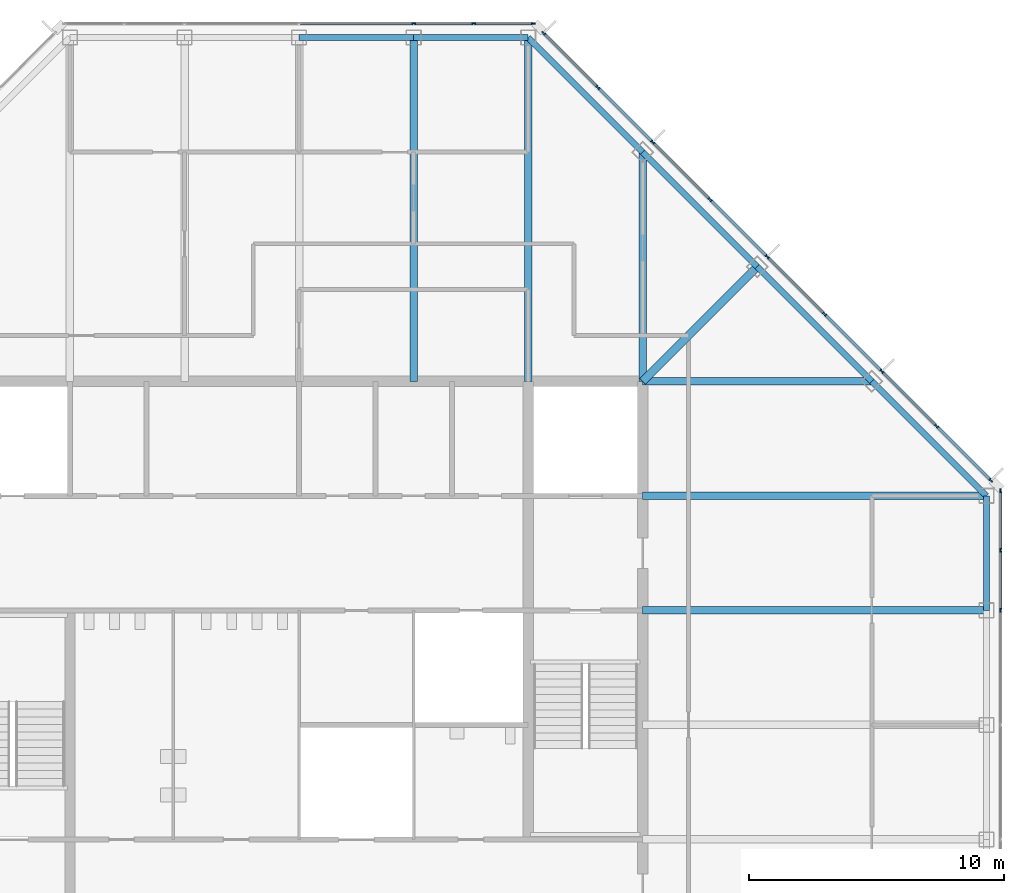
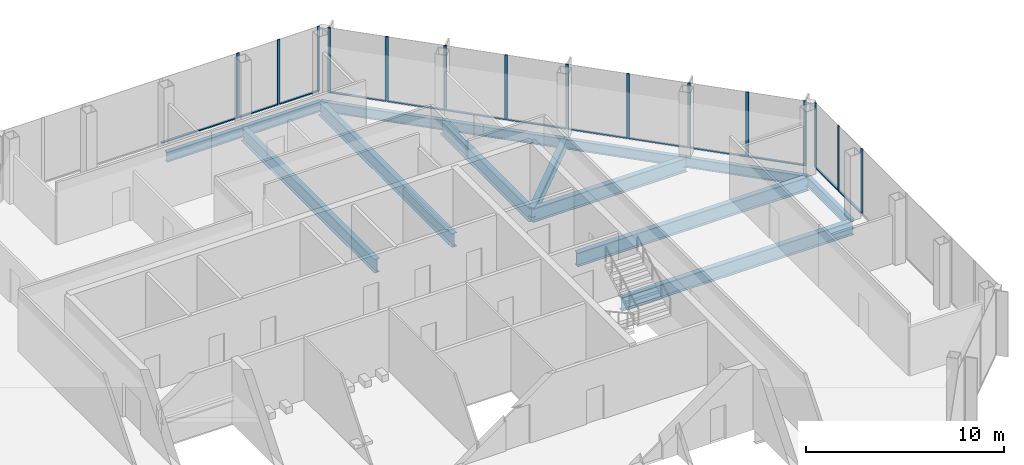
# One storey, part 7 of 14: 28 members, 14 beams, 3 elements without a shape of their own.
"""IFC4 building model written with IfcOpenShell, lengths in metres."""

from ifc_helpers import new_model, si_unit, direction, frame, origin, origin_2d, place, context, subcontext, project, spatial, rectangle, i_section, extrude, material, material_profile, profile_set, type_object, element, aggregate, save


model = new_model("IFC4")

# Units and contexts
model_context = context("Model", 3, precision=1e-05, world=origin(), true_north=direction((0.0, 1.0)))
body_context = subcontext(model_context, "Body", "Model", "MODEL_VIEW")
ifc_project = project(units=[si_unit("LENGTHUNIT", "METRE"), si_unit("AREAUNIT", "SQUARE_METRE"), si_unit("VOLUMEUNIT", "CUBIC_METRE"), si_unit("PLANEANGLEUNIT", "RADIAN"), si_unit("MASSUNIT", "GRAM", prefix="KILO")], contexts=[model_context])

# Site, building, storey
site_placement = place(None, origin())
site = spatial("IfcSite", under=ifc_project, at=site_placement, CompositionType="ELEMENT")
building_placement = place(site_placement, origin())
building = spatial("IfcBuilding", under=site, at=building_placement, Name="Corais Broadcast Tower", CompositionType="ELEMENT")
storey_placement = place(building_placement, frame((0.0, 0.0, 266.60009765625)))
storey = spatial("IfcBuildingStorey", under=building, at=storey_placement, Name="L62", CompositionType="ELEMENT", Elevation=266.60009765625)

# Beams
ifc_material_1 = material(Name="Steel ASTM A572 Grade 50", Category="steel")
ifc_material_profile_1 = material_profile(ifc_material_1, i_section(OverallWidth=0.323974609375, OverallDepth=0.611083984375, WebThickness=0.0126953125, FlangeThickness=0.01904296875, at=origin_2d()), Name="W610x155")
ifc_profile_set_1 = profile_set([ifc_material_profile_1], Name="Steel ASTM A572 Grade 50")
beam_type_1 = type_object("IfcBeamType", Name="Corner diagonal W610x155", PredefinedType="BEAM", material=ifc_profile_set_1)
beam_1_placement = place(storey_placement, frame((45.0, 45.0, -0.465576171875), z_axis=(-0.707106781187, -0.707106781187, 0.0), x_axis=(0.707106781187, -0.707106781187, 0.0)))
element("IfcBeam", 1, at=beam_1_placement, inside=storey, type_object=beam_type_1, Name="B6 L/13 to K/12", PredefinedType="BEAM", context=body_context, shape_type="SweptSolid", body=[
    extrude(i_section(OverallWidth=0.323974609375, OverallDepth=0.611083984375, WebThickness=0.0126953125, FlangeThickness=0.01904296875, at=origin_2d()), origin(), (0.0, 0.0, 1.0), 6.364013671875),
])
ifc_material_2 = material(Name="Steel ASTM A572 Grade 50", Category="steel")
ifc_material_profile_2 = material_profile(ifc_material_2, i_section(OverallWidth=0.2939453125, OverallDepth=0.85107421875, WebThickness=0.01611328125, FlangeThickness=0.02685546875, at=origin_2d()), Name="W840x226")
ifc_profile_set_2 = profile_set([ifc_material_profile_2], Name="Steel ASTM A572 Grade 50")
beam_type_2 = type_object("IfcBeamType", Name="Floor beam W840x226", PredefinedType="BEAM", material=ifc_profile_set_2)
for number, where, z_axis, x_axis, name in (
    (2, (31.5, 54.0, -0.585693359375), (0.0, -1.0, 0.0), (1.0, 0.0, 0.0), "B1 N/10 to K/10"),
    (3, (36.0, 54.0, -0.585693359375), (0.0, -1.0, 0.0), (1.0, 0.0, 0.0), "B1 N/11 to K/11"),
):
    element("IfcBeam", number, at=place(storey_placement, frame(where, z_axis=z_axis, x_axis=x_axis)), inside=storey, type_object=beam_type_2, Name=name, PredefinedType="BEAM", context=body_context, shape_type="SweptSolid", body=[
        extrude(i_section(OverallWidth=0.2939453125, OverallDepth=0.85107421875, WebThickness=0.01611328125, FlangeThickness=0.02685546875, at=origin_2d()), origin(), (0.0, 0.0, 1.0), 13.5),
    ])
for number, where, z_axis, x_axis, name in (
    (4, (40.5, 49.5, -0.585693359375), (0.0, -1.0, 0.0), (1.0, 0.0, 0.0), "B1 M/12 to K/12"),
    (5, (49.5, 40.5, -0.585693359375), (-1.0, 0.0, 0.0), (0.0, -1.0, 0.0), "B1 K/14 to K/12"),
):
    element("IfcBeam", number, at=place(storey_placement, frame(where, z_axis=z_axis, x_axis=x_axis)), inside=storey, type_object=beam_type_2, Name=name, PredefinedType="BEAM", context=body_context, shape_type="SweptSolid", body=[
        extrude(i_section(OverallWidth=0.2939453125, OverallDepth=0.85107421875, WebThickness=0.01611328125, FlangeThickness=0.02685546875, at=origin_2d()), origin(), (0.0, 0.0, 1.0), 9.0),
    ])
for number, where, z_axis, x_axis, name in (
    (6, (54.0, 31.5, -0.585693359375), (-1.0, 0.0, 0.0), (0.0, -1.0, 0.0), "B1 H/15 to H/12"),
    (7, (54.0, 36.0, -0.585693359375), (-1.0, 0.0, 0.0), (0.0, -1.0, 0.0), "B1 J/15 to J/12"),
):
    element("IfcBeam", number, at=place(storey_placement, frame(where, z_axis=z_axis, x_axis=x_axis)), inside=storey, type_object=beam_type_2, Name=name, PredefinedType="BEAM", context=body_context, shape_type="SweptSolid", body=[
        extrude(i_section(OverallWidth=0.2939453125, OverallDepth=0.85107421875, WebThickness=0.01611328125, FlangeThickness=0.02685546875, at=origin_2d()), origin(), (0.0, 0.0, 1.0), 13.5),
    ])

# Curtain wall, members
ifc_material_3 = material(Name="Aluminium and glass", Category="aluminium")
curtain_wall_type = type_object("IfcCurtainWallType", Name="Unitised fritted curtain wall CW3", PredefinedType="NOTDEFINED", material=ifc_material_3)
curtain_wall_1_placement = place(storey_placement, origin())
curtain_wall_1 = element("IfcCurtainWall", 8, at=curtain_wall_1_placement, inside=storey, type_object=curtain_wall_type, Name="CW3 curtain wall L62 4", PredefinedType="NOTDEFINED")
ifc_material_4 = material(Name="Aluminium 6063-T6", Category="aluminium")
ifc_material_profile_3 = material_profile(ifc_material_4, rectangle(XDim=0.06494140625, YDim=0.159912109375, at=origin_2d()), Name="Mullion CW3 65x160")
ifc_profile_set_3 = profile_set([ifc_material_profile_3], Name="Aluminium 6063-T6")
member_type_1 = type_object("IfcMemberType", Name="Mullion CW3 65x160", PredefinedType="MULLION", material=ifc_profile_set_3)
member_1_placement = place(storey_placement, frame((31.5, 54.550048828125, 0.0), z_axis=(0.0, 0.0, 1.0), x_axis=(0.0, 1.0, 0.0)))
member_1 = element("IfcMember", 9, at=member_1_placement, type_object=member_type_1, Name="CW3 mullion 5", PredefinedType="MULLION", context=body_context, shape_type="SweptSolid", body=[
    extrude(rectangle(XDim=0.06494140625, YDim=0.159912109375, at=origin_2d()), origin(), (0.0, 0.0, 1.0), 4.0),
])
member_2_placement = place(storey_placement, frame((33.864013671875, 54.550048828125, 0.0), z_axis=(0.0, 0.0, 1.0), x_axis=(0.0, 1.0, 0.0)))
member_2 = element("IfcMember", 10, at=member_2_placement, type_object=member_type_1, Name="CW3 mullion 6", PredefinedType="MULLION", context=body_context, shape_type="SweptSolid", body=[
    extrude(rectangle(XDim=0.06494140625, YDim=0.159912109375, at=origin_2d()), origin(), (0.0, 0.0, 1.0), 4.0),
])
member_3_placement = place(storey_placement, frame((36.1953125, 54.550048828125, 0.0), z_axis=(0.0, 0.0, 1.0), x_axis=(0.0, 1.0, 0.0)))
member_3 = element("IfcMember", 11, at=member_3_placement, type_object=member_type_1, Name="CW3 mullion 7", PredefinedType="MULLION", context=body_context, shape_type="SweptSolid", body=[
    extrude(rectangle(XDim=0.06494140625, YDim=0.159912109375, at=origin_2d()), origin(), (0.0, 0.0, 1.0), 4.0),
])

curtain_wall_2_placement = place(storey_placement, origin())
curtain_wall_2 = element("IfcCurtainWall", 12, at=curtain_wall_2_placement, inside=storey, type_object=curtain_wall_type, Name="CW3 curtain wall L62 5", PredefinedType="NOTDEFINED")
member_4_placement = place(storey_placement, frame((36.6044921875, 54.17333984375, 0.0), z_axis=(0.0, 0.0, 1.0), x_axis=(0.707106781187, 0.707106781187, 0.0)))
member_4 = element("IfcMember", 13, at=member_4_placement, type_object=member_type_1, Name="CW3 mullion 1", PredefinedType="MULLION", context=body_context, shape_type="SweptSolid", body=[
    extrude(rectangle(XDim=0.06494140625, YDim=0.159912109375, at=origin_2d()), origin(), (0.0, 0.0, 1.0), 4.0),
])
member_5_placement = place(storey_placement, frame((38.735107421875, 52.042724609375, 0.0), z_axis=(0.0, 0.0, 1.0), x_axis=(0.707106781187, 0.707106781187, 0.0)))
member_5 = element("IfcMember", 14, at=member_5_placement, type_object=member_type_1, Name="CW3 mullion 2", PredefinedType="MULLION", context=body_context, shape_type="SweptSolid", body=[
    extrude(rectangle(XDim=0.06494140625, YDim=0.159912109375, at=origin_2d()), origin(), (0.0, 0.0, 1.0), 4.0),
])
member_6_placement = place(storey_placement, frame((40.888916015625, 49.888916015625, 0.0), z_axis=(0.0, 0.0, 1.0), x_axis=(0.707106781187, 0.707106781187, 0.0)))
member_6 = element("IfcMember", 15, at=member_6_placement, type_object=member_type_1, Name="CW3 mullion 3", PredefinedType="MULLION", context=body_context, shape_type="SweptSolid", body=[
    extrude(rectangle(XDim=0.06494140625, YDim=0.159912109375, at=origin_2d()), origin(), (0.0, 0.0, 1.0), 4.0),
])
member_7_placement = place(storey_placement, frame((43.138916015625, 47.638916015625, 0.0), z_axis=(0.0, 0.0, 1.0), x_axis=(0.707106781187, 0.707106781187, 0.0)))
member_7 = element("IfcMember", 16, at=member_7_placement, type_object=member_type_1, Name="CW3 mullion 4", PredefinedType="MULLION", context=body_context, shape_type="SweptSolid", body=[
    extrude(rectangle(XDim=0.06494140625, YDim=0.159912109375, at=origin_2d()), origin(), (0.0, 0.0, 1.0), 4.0),
])
member_8_placement = place(storey_placement, frame((45.388916015625, 45.388916015625, 0.0), z_axis=(0.0, 0.0, 1.0), x_axis=(0.707106781187, 0.707106781187, 0.0)))
member_8 = element("IfcMember", 17, at=member_8_placement, type_object=member_type_1, Name="CW3 mullion 5", PredefinedType="MULLION", context=body_context, shape_type="SweptSolid", body=[
    extrude(rectangle(XDim=0.06494140625, YDim=0.159912109375, at=origin_2d()), origin(), (0.0, 0.0, 1.0), 4.0),
])
member_9_placement = place(storey_placement, frame((47.638916015625, 43.138916015625, 0.0), z_axis=(0.0, 0.0, 1.0), x_axis=(0.707106781187, 0.707106781187, 0.0)))
member_9 = element("IfcMember", 18, at=member_9_placement, type_object=member_type_1, Name="CW3 mullion 6", PredefinedType="MULLION", context=body_context, shape_type="SweptSolid", body=[
    extrude(rectangle(XDim=0.06494140625, YDim=0.159912109375, at=origin_2d()), origin(), (0.0, 0.0, 1.0), 4.0),
])
member_10_placement = place(storey_placement, frame((49.888916015625, 40.888916015625, 0.0), z_axis=(0.0, 0.0, 1.0), x_axis=(0.707106781187, 0.707106781187, 0.0)))
member_10 = element("IfcMember", 19, at=member_10_placement, type_object=member_type_1, Name="CW3 mullion 7", PredefinedType="MULLION", context=body_context, shape_type="SweptSolid", body=[
    extrude(rectangle(XDim=0.06494140625, YDim=0.159912109375, at=origin_2d()), origin(), (0.0, 0.0, 1.0), 4.0),
])
member_11_placement = place(storey_placement, frame((52.042724609375, 38.735107421875, 0.0), z_axis=(0.0, 0.0, 1.0), x_axis=(0.707106781187, 0.707106781187, 0.0)))
member_11 = element("IfcMember", 20, at=member_11_placement, type_object=member_type_1, Name="CW3 mullion 8", PredefinedType="MULLION", context=body_context, shape_type="SweptSolid", body=[
    extrude(rectangle(XDim=0.06494140625, YDim=0.159912109375, at=origin_2d()), origin(), (0.0, 0.0, 1.0), 4.0),
])
member_12_placement = place(storey_placement, frame((54.17333984375, 36.6044921875, 0.0), z_axis=(0.0, 0.0, 1.0), x_axis=(0.707106781187, 0.707106781187, 0.0)))
member_12 = element("IfcMember", 21, at=member_12_placement, type_object=member_type_1, Name="CW3 mullion 9", PredefinedType="MULLION", context=body_context, shape_type="SweptSolid", body=[
    extrude(rectangle(XDim=0.06494140625, YDim=0.159912109375, at=origin_2d()), origin(), (0.0, 0.0, 1.0), 4.0),
])

curtain_wall_3_placement = place(storey_placement, origin())
curtain_wall_3 = element("IfcCurtainWall", 22, at=curtain_wall_3_placement, inside=storey, type_object=curtain_wall_type, Name="CW3 curtain wall L62 6", PredefinedType="NOTDEFINED")
member_13_placement = place(storey_placement, frame((54.550048828125, 36.1953125, 0.0), z_axis=(0.0, 0.0, 1.0), x_axis=(1.0, 0.0, 0.0)))
member_13 = element("IfcMember", 23, at=member_13_placement, type_object=member_type_1, Name="CW3 mullion 1", PredefinedType="MULLION", context=body_context, shape_type="SweptSolid", body=[
    extrude(rectangle(XDim=0.06494140625, YDim=0.159912109375, at=origin_2d()), origin(), (0.0, 0.0, 1.0), 4.0),
])
member_14_placement = place(storey_placement, frame((54.550048828125, 33.864013671875, 0.0), z_axis=(0.0, 0.0, 1.0), x_axis=(1.0, 0.0, 0.0)))
member_14 = element("IfcMember", 24, at=member_14_placement, type_object=member_type_1, Name="CW3 mullion 2", PredefinedType="MULLION", context=body_context, shape_type="SweptSolid", body=[
    extrude(rectangle(XDim=0.06494140625, YDim=0.159912109375, at=origin_2d()), origin(), (0.0, 0.0, 1.0), 4.0),
])
member_15_placement = place(storey_placement, frame((54.550048828125, 31.5, 0.0), z_axis=(0.0, 0.0, 1.0), x_axis=(1.0, 0.0, 0.0)))
member_15 = element("IfcMember", 25, at=member_15_placement, type_object=member_type_1, Name="CW3 mullion 3", PredefinedType="MULLION", context=body_context, shape_type="SweptSolid", body=[
    extrude(rectangle(XDim=0.06494140625, YDim=0.159912109375, at=origin_2d()), origin(), (0.0, 0.0, 1.0), 4.0),
])

# Beams
ifc_material_5 = material(Name="Steel ASTM A572 Grade 50", Category="steel")
ifc_material_profile_4 = material_profile(ifc_material_5, i_section(OverallWidth=0.22998046875, OverallDepth=0.616943359375, WebThickness=0.01318359375, FlangeThickness=0.022216796875, at=origin_2d()), Name="W610x140")
ifc_profile_set_4 = profile_set([ifc_material_profile_4], Name="Steel ASTM A572 Grade 50")
beam_type_3 = type_object("IfcBeamType", Name="Spandrel W610x140", PredefinedType="BEAM", material=ifc_profile_set_4)
for number, where, z_axis, x_axis, name in (
    (26, (31.5, 54.0, -0.468505859375), (-1.0, 0.0, 0.0), (0.0, -1.0, 0.0), "SB3 N/10 to N/9"),
    (27, (36.0, 54.0, -0.468505859375), (-1.0, 0.0, 0.0), (0.0, -1.0, 0.0), "SB3 N/11 to N/10"),
):
    element("IfcBeam", number, at=place(storey_placement, frame(where, z_axis=z_axis, x_axis=x_axis)), inside=storey, type_object=beam_type_3, Name=name, PredefinedType="BEAM", context=body_context, shape_type="SweptSolid", body=[
        extrude(i_section(OverallWidth=0.22998046875, OverallDepth=0.616943359375, WebThickness=0.01318359375, FlangeThickness=0.022216796875, at=origin_2d()), origin(), (0.0, 0.0, 1.0), 4.5),
    ])
for number, where, z_axis, x_axis, name in (
    (28, (40.5, 49.5, -0.468505859375), (-0.707106781187, 0.707106781187, 0.0), (-0.707106781187, -0.707106781187, 0.0), "SB3 M/12 to N/11"),
    (29, (45.0, 45.0, -0.468505859375), (-0.707106781187, 0.707106781187, 0.0), (-0.707106781187, -0.707106781187, 0.0), "SB3 L/13 to M/12"),
    (30, (49.5, 40.5, -0.468505859375), (-0.707106781187, 0.707106781187, 0.0), (-0.707106781187, -0.707106781187, 0.0), "SB3 K/14 to L/13"),
):
    element("IfcBeam", number, at=place(storey_placement, frame(where, z_axis=z_axis, x_axis=x_axis)), inside=storey, type_object=beam_type_3, Name=name, PredefinedType="BEAM", context=body_context, shape_type="SweptSolid", body=[
        extrude(i_section(OverallWidth=0.22998046875, OverallDepth=0.616943359375, WebThickness=0.01318359375, FlangeThickness=0.022216796875, at=origin_2d()), origin(), (0.0, 0.0, 1.0), 6.364013671875),
    ])
beam_2_placement = place(storey_placement, frame((54.0, 31.5, -0.468505859375), z_axis=(0.0, 1.0, 0.0), x_axis=(-1.0, 0.0, 0.0)))
element("IfcBeam", 31, at=beam_2_placement, inside=storey, type_object=beam_type_3, Name="SB3 H/15 to J/15", PredefinedType="BEAM", context=body_context, shape_type="SweptSolid", body=[
    extrude(i_section(OverallWidth=0.22998046875, OverallDepth=0.616943359375, WebThickness=0.01318359375, FlangeThickness=0.022216796875, at=origin_2d()), origin(), (0.0, 0.0, 1.0), 4.5),
])
beam_3_placement = place(storey_placement, frame((54.0, 36.0, -0.468505859375), z_axis=(-0.707106781187, 0.707106781187, 0.0), x_axis=(-0.707106781187, -0.707106781187, 0.0)))
element("IfcBeam", 32, at=beam_3_placement, inside=storey, type_object=beam_type_3, Name="SB3 J/15 to K/14", PredefinedType="BEAM", context=body_context, shape_type="SweptSolid", body=[
    extrude(i_section(OverallWidth=0.22998046875, OverallDepth=0.616943359375, WebThickness=0.01318359375, FlangeThickness=0.022216796875, at=origin_2d()), origin(), (0.0, 0.0, 1.0), 6.364013671875),
])

# Member
ifc_material_6 = material(Name="Aluminium 6063-T6", Category="aluminium")
ifc_material_profile_5 = material_profile(ifc_material_6, rectangle(XDim=0.1201171875, YDim=0.06494140625, at=origin_2d()), Name="Transom CW3 65x120")
ifc_profile_set_5 = profile_set([ifc_material_profile_5], Name="Aluminium 6063-T6")
member_type_2 = type_object("IfcMemberType", Name="Transom CW3 65x120", PredefinedType="USERDEFINED", material=ifc_profile_set_5)
member_16_placement = place(storey_placement, frame((27.032470703125, 54.550048828125, 0.032470703125), z_axis=(1.0, 0.0, 0.0), x_axis=(0.0, 1.0, 0.0)))
member_16 = element("IfcMember", 33, at=member_16_placement, type_object=member_type_2, Name="CW3 transom 4.1", ObjectType="TRANSOM", PredefinedType="USERDEFINED", context=body_context, shape_type="SweptSolid", body=[
    extrude(rectangle(XDim=0.1201171875, YDim=0.06494140625, at=origin_2d()), origin(), (0.0, 0.0, 1.0), 4.43505859375),
])

member_17_placement = place(storey_placement, frame((31.532470703125, 54.550048828125, 0.032470703125), z_axis=(1.0, 0.0, 0.0), x_axis=(0.0, 1.0, 0.0)))
member_17 = element("IfcMember", 34, at=member_17_placement, type_object=member_type_2, Name="CW3 transom 5.1", ObjectType="TRANSOM", PredefinedType="USERDEFINED", context=body_context, shape_type="SweptSolid", body=[
    extrude(rectangle(XDim=0.1201171875, YDim=0.06494140625, at=origin_2d()), origin(), (0.0, 0.0, 1.0), 2.298828125),
])

member_18_placement = place(storey_placement, frame((33.896484375, 54.550048828125, 0.032470703125), z_axis=(1.0, 0.0, 0.0), x_axis=(0.0, 1.0, 0.0)))
member_18 = element("IfcMember", 35, at=member_18_placement, type_object=member_type_2, Name="CW3 transom 6.1", ObjectType="TRANSOM", PredefinedType="USERDEFINED", context=body_context, shape_type="SweptSolid", body=[
    extrude(rectangle(XDim=0.1201171875, YDim=0.06494140625, at=origin_2d()), origin(), (0.0, 0.0, 1.0), 2.266357421875),
])

aggregate(curtain_wall_1, [member_1, member_2, member_3, member_16, member_17, member_18])

member_19_placement = place(storey_placement, frame((36.62744140625, 54.150390625, 0.032470703125), z_axis=(0.707106781187, -0.707106781187, 0.0), x_axis=(0.707106781187, 0.707106781187, 0.0)))
member_19 = element("IfcMember", 36, at=member_19_placement, type_object=member_type_2, Name="CW3 transom 1.1", ObjectType="TRANSOM", PredefinedType="USERDEFINED", context=body_context, shape_type="SweptSolid", body=[
    extrude(rectangle(XDim=0.1201171875, YDim=0.06494140625, at=origin_2d()), origin(), (0.0, 0.0, 1.0), 2.9482421875),
])

member_20_placement = place(storey_placement, frame((38.758056640625, 52.019775390625, 0.032470703125), z_axis=(0.707106781187, -0.707106781187, 0.0), x_axis=(0.707106781187, 0.707106781187, 0.0)))
member_20 = element("IfcMember", 37, at=member_20_placement, type_object=member_type_2, Name="CW3 transom 2.1", ObjectType="TRANSOM", PredefinedType="USERDEFINED", context=body_context, shape_type="SweptSolid", body=[
    extrude(rectangle(XDim=0.1201171875, YDim=0.06494140625, at=origin_2d()), origin(), (0.0, 0.0, 1.0), 2.98095703125),
])

member_21_placement = place(storey_placement, frame((40.911865234375, 49.865966796875, 0.032470703125), z_axis=(0.707106781187, -0.707106781187, 0.0), x_axis=(0.707106781187, 0.707106781187, 0.0)))
member_21 = element("IfcMember", 38, at=member_21_placement, type_object=member_type_2, Name="CW3 transom 3.1", ObjectType="TRANSOM", PredefinedType="USERDEFINED", context=body_context, shape_type="SweptSolid", body=[
    extrude(rectangle(XDim=0.1201171875, YDim=0.06494140625, at=origin_2d()), origin(), (0.0, 0.0, 1.0), 3.1171875),
])

member_22_placement = place(storey_placement, frame((43.161865234375, 47.615966796875, 0.032470703125), z_axis=(0.707106781187, -0.707106781187, 0.0), x_axis=(0.707106781187, 0.707106781187, 0.0)))
member_22 = element("IfcMember", 39, at=member_22_placement, type_object=member_type_2, Name="CW3 transom 4.1", ObjectType="TRANSOM", PredefinedType="USERDEFINED", context=body_context, shape_type="SweptSolid", body=[
    extrude(rectangle(XDim=0.1201171875, YDim=0.06494140625, at=origin_2d()), origin(), (0.0, 0.0, 1.0), 3.1171875),
])

member_23_placement = place(storey_placement, frame((45.411865234375, 45.365966796875, 0.032470703125), z_axis=(0.707106781187, -0.707106781187, 0.0), x_axis=(0.707106781187, 0.707106781187, 0.0)))
member_23 = element("IfcMember", 40, at=member_23_placement, type_object=member_type_2, Name="CW3 transom 5.1", ObjectType="TRANSOM", PredefinedType="USERDEFINED", context=body_context, shape_type="SweptSolid", body=[
    extrude(rectangle(XDim=0.1201171875, YDim=0.06494140625, at=origin_2d()), origin(), (0.0, 0.0, 1.0), 3.1171875),
])

member_24_placement = place(storey_placement, frame((47.661865234375, 43.115966796875, 0.032470703125), z_axis=(0.707106781187, -0.707106781187, 0.0), x_axis=(0.707106781187, 0.707106781187, 0.0)))
member_24 = element("IfcMember", 41, at=member_24_placement, type_object=member_type_2, Name="CW3 transom 6.1", ObjectType="TRANSOM", PredefinedType="USERDEFINED", context=body_context, shape_type="SweptSolid", body=[
    extrude(rectangle(XDim=0.1201171875, YDim=0.06494140625, at=origin_2d()), origin(), (0.0, 0.0, 1.0), 3.1171875),
])

member_25_placement = place(storey_placement, frame((49.911865234375, 40.865966796875, 0.032470703125), z_axis=(0.707065828661, -0.70714773134, 0.0), x_axis=(0.70714773134, 0.707065828661, 0.0)))
member_25 = element("IfcMember", 42, at=member_25_placement, type_object=member_type_2, Name="CW3 transom 7.1", ObjectType="TRANSOM", PredefinedType="USERDEFINED", context=body_context, shape_type="SweptSolid", body=[
    extrude(rectangle(XDim=0.1201171875, YDim=0.06494140625, at=origin_2d()), origin(), (0.0, 0.0, 1.0), 2.98095703125),
])

member_26_placement = place(storey_placement, frame((52.065673828125, 38.712158203125, 0.032470703125), z_axis=(0.707106781187, -0.707106781187, 0.0), x_axis=(0.707106781187, 0.707106781187, 0.0)))
member_26 = element("IfcMember", 43, at=member_26_placement, type_object=member_type_2, Name="CW3 transom 8.1", ObjectType="TRANSOM", PredefinedType="USERDEFINED", context=body_context, shape_type="SweptSolid", body=[
    extrude(rectangle(XDim=0.1201171875, YDim=0.06494140625, at=origin_2d()), origin(), (0.0, 0.0, 1.0), 2.9482421875),
])

aggregate(curtain_wall_2, [member_4, member_5, member_6, member_7, member_8, member_9, member_10, member_11, member_12, member_19, member_20, member_21, member_22, member_23, member_24, member_25, member_26])

member_27_placement = place(storey_placement, frame((54.550048828125, 36.162841796875, 0.032470703125), z_axis=(0.0, -1.0, 0.0), x_axis=(1.0, 0.0, 0.0)))
member_27 = element("IfcMember", 44, at=member_27_placement, type_object=member_type_2, Name="CW3 transom 1.1", ObjectType="TRANSOM", PredefinedType="USERDEFINED", context=body_context, shape_type="SweptSolid", body=[
    extrude(rectangle(XDim=0.1201171875, YDim=0.06494140625, at=origin_2d()), origin(), (0.0, 0.0, 1.0), 2.266357421875),
])

member_28_placement = place(storey_placement, frame((54.550048828125, 33.831298828125, 0.032470703125), z_axis=(0.0, -1.0, 0.0), x_axis=(1.0, 0.0, 0.0)))
member_28 = element("IfcMember", 45, at=member_28_placement, type_object=member_type_2, Name="CW3 transom 2.1", ObjectType="TRANSOM", PredefinedType="USERDEFINED", context=body_context, shape_type="SweptSolid", body=[
    extrude(rectangle(XDim=0.1201171875, YDim=0.06494140625, at=origin_2d()), origin(), (0.0, 0.0, 1.0), 2.298828125),
])

aggregate(curtain_wall_3, [member_13, member_14, member_15, member_27, member_28])

save(model, "model.ifc")
